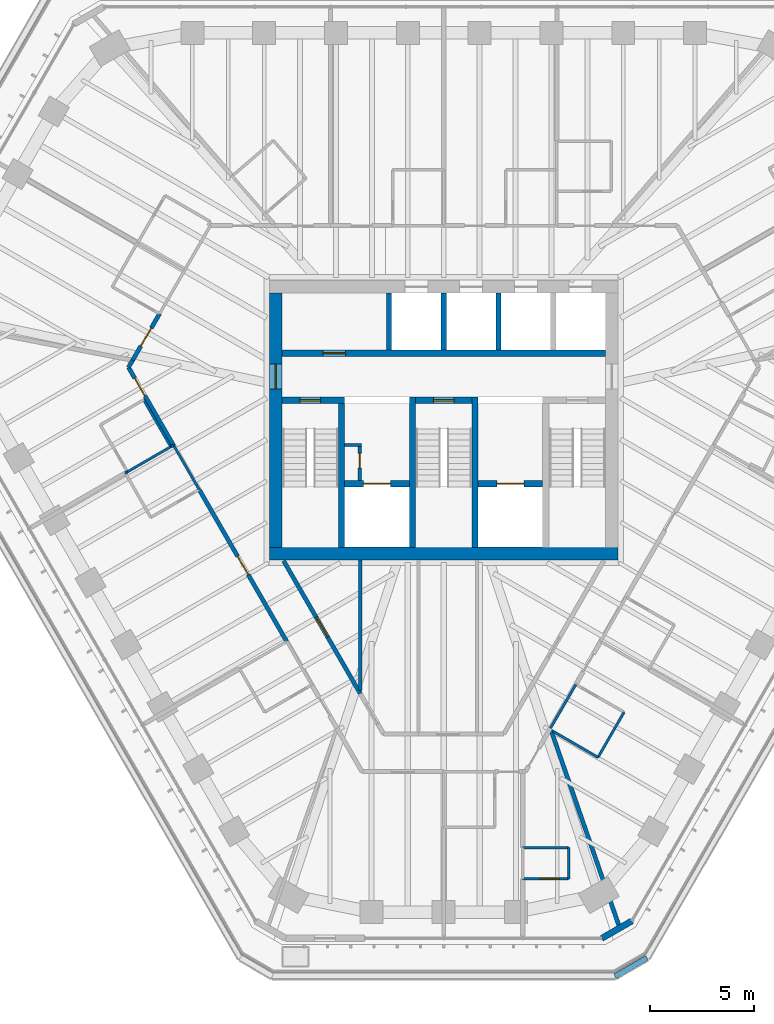
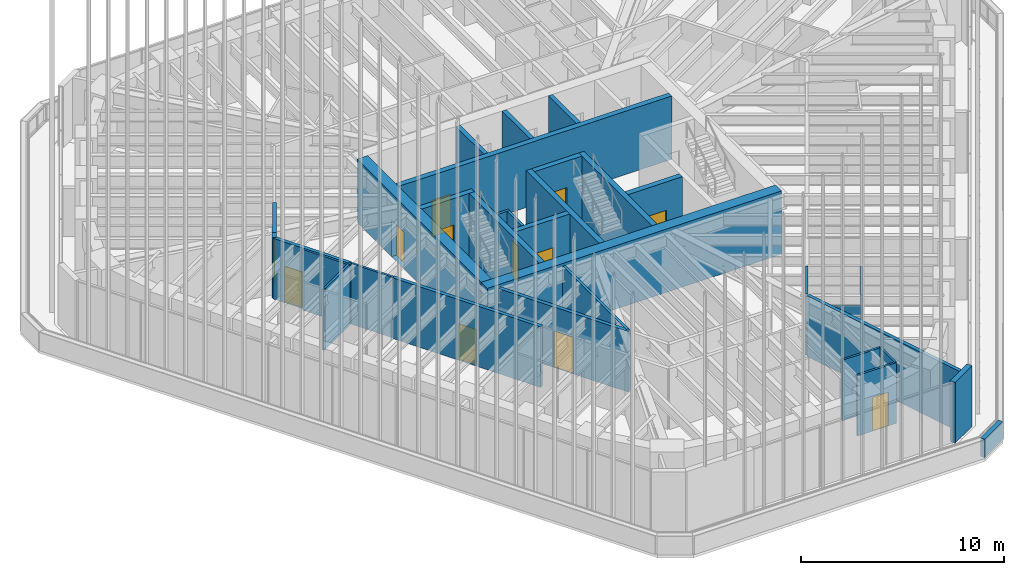
# One storey, part 121 of 127: 35 walls, 12 doors, 12 openings.
"""IFC4 building model written with IfcOpenShell, lengths in metres."""

from ifc_helpers import new_model, si_unit, direction, frame, frame_2d, origin, place, context, subcontext, project, spatial, rectangle, extrude, material, layer, layer_set, type_object, element, fill, save


model = new_model("IFC4")

# Units and contexts
model_context = context("Model", 3, precision=1e-05, world=origin(), true_north=direction((0.0, 1.0)))
body_context = subcontext(model_context, "Body", "Model", "MODEL_VIEW")
ifc_project = project(units=[si_unit("LENGTHUNIT", "METRE"), si_unit("AREAUNIT", "SQUARE_METRE"), si_unit("VOLUMEUNIT", "CUBIC_METRE"), si_unit("PLANEANGLEUNIT", "RADIAN"), si_unit("MASSUNIT", "GRAM", prefix="KILO")], contexts=[model_context])

# Site, building, storey
site_placement = place(None, origin())
site = spatial("IfcSite", under=ifc_project, at=site_placement, CompositionType="ELEMENT")
building_placement = place(site_placement, origin())
building = spatial("IfcBuilding", under=site, at=building_placement, Name="Sandreach Pilgrim Tower", CompositionType="ELEMENT")
storey_placement = place(building_placement, frame((0.0, 0.0, 257.0)))
storey = spatial("IfcBuildingStorey", under=building, at=storey_placement, Name="L64", CompositionType="ELEMENT", Elevation=257.0)

# Walls
ifc_material_1 = material(Name="Gypsum board on steel studs", Category="steel")
ifc_layer_1 = layer(ifc_material_1, 0.14990234375)
ifc_layer_set_1 = layer_set([ifc_layer_1], Name="Back of house wall 150")
wall_type_1 = type_object("IfcWallType", Name="Back of house wall 150", PredefinedType="PARTITIONING", material=ifc_layer_set_1)
wall_1_placement = place(storey_placement, frame((-4.0, -6.699951171875, 0.0), z_axis=(0.0, 0.0, 1.0), x_axis=(0.0, -1.0, 0.0)))
element("IfcWall", 1, at=wall_1_placement, inside=storey, type_object=wall_type_1, Name="Back of house wall L64-044", PredefinedType="PARTITIONING", context=body_context, shape_type="SweptSolid", body=[
    extrude(rectangle(XDim=6.26513671875, YDim=0.14990234375, at=frame_2d((3.132568359375, 0.0))), origin(), (0.0, 0.0, 1.0), 3.639892578125),
])
ifc_material_2 = material(Name="Moisture-resistant gypsum board on steel studs", Category="steel")
ifc_layer_2 = layer(ifc_material_2, 0.1201171875)
ifc_layer_set_2 = layer_set([ifc_layer_2], Name="Bathroom partition 120")
wall_type_2 = type_object("IfcWallType", Name="Bathroom partition 120", PredefinedType="PARTITIONING", material=ifc_layer_set_2)
wall_2_placement = place(storey_placement, frame((-15.27001953125, -2.5400390625, 0.0), z_axis=(0.0, 0.0, 1.0), x_axis=(0.864612942288, 0.502438513678, 0.0)))
element("IfcWall", 2, at=wall_2_placement, inside=storey, type_object=wall_type_2, Name="Bathroom partition L64-007", PredefinedType="PARTITIONING", context=body_context, shape_type="SweptSolid", body=[
    extrude(rectangle(XDim=0.11669921875, YDim=0.1201171875, at=frame_2d((0.058349609375, 0.0))), origin(), (0.0, 0.0, 1.0), 3.639892578125),
])
wall_3_placement = place(storey_placement, frame((-15.1689453125, -2.48193359375, 0.0), z_axis=(0.0, 0.0, 1.0), x_axis=(0.865723129019, 0.500523190154, 0.0)))
element("IfcWall", 3, at=wall_3_placement, inside=storey, type_object=wall_type_2, Name="Bathroom partition L64-009", PredefinedType="PARTITIONING", context=body_context, shape_type="SweptSolid", body=[
    extrude(rectangle(XDim=2.4013671875, YDim=0.1201171875, at=frame_2d((1.20068359375, 0.0))), origin(), (0.0, 0.0, 1.0), 3.639892578125),
])
wall_4_placement = place(storey_placement, frame((-13.090087890625, -1.280029296875, 0.0), z_axis=(0.0, 0.0, 1.0), x_axis=(-0.500291685314, 0.865856933682, 0.0)))
element("IfcWall", 4, at=wall_4_placement, inside=storey, type_object=wall_type_2, Name="Bathroom partition L64-020", PredefinedType="PARTITIONING", context=body_context, shape_type="SweptSolid", body=[
    extrude(rectangle(XDim=2.5986328125, YDim=0.1201171875, at=frame_2d((1.29931640625, 0.0))), origin(), (0.0, 0.0, 1.0), 3.639892578125),
])
wall_5_placement = place(storey_placement, frame((-13.087890625, -1.283447265625, 0.0), z_axis=(0.0, 0.0, 1.0), x_axis=(0.867120749652, 0.498097987873, 0.0)))
element("IfcWall", 5, at=wall_5_placement, inside=storey, type_object=wall_type_2, Name="Bathroom partition L64-021", PredefinedType="PARTITIONING", context=body_context, shape_type="SweptSolid", body=[
    extrude(rectangle(XDim=0.1474609375, YDim=0.1201171875, at=frame_2d((0.07373046875, 0.0))), origin(), (0.0, 0.0, 1.0), 3.639892578125),
])
wall_6_placement = place(storey_placement, frame((-12.955322265625, -1.207275390625, 0.0), z_axis=(0.0, 0.0, 1.0), x_axis=(0.499920767294, -0.866071143976, 0.0)))
element("IfcWall", 6, at=wall_6_placement, inside=storey, type_object=wall_type_2, Name="Bathroom partition L64-022", PredefinedType="PARTITIONING", context=body_context, shape_type="SweptSolid", body=[
    extrude(rectangle(XDim=2.451171875, YDim=0.1201171875, at=frame_2d((1.2255859375, 0.0))), origin(), (0.0, 0.0, 1.0), 3.639892578125),
])

# Wall, opening, door
wall_7_placement = place(storey_placement, frame((3.7900390625, -22.010009765625, 0.0), z_axis=(0.0, 0.0, 1.0), x_axis=(1.0, 0.0, 0.0)))
wall_7 = element("IfcWall", 7, at=wall_7_placement, inside=storey, type_object=wall_type_2, Name="Bathroom partition L64-067", PredefinedType="PARTITIONING", context=body_context, shape_type="SweptSolid", body=[
    extrude(rectangle(XDim=2.199951171875, YDim=0.1201171875, at=frame_2d((1.10009765625, 0.0))), origin(), (0.0, 0.0, 1.0), 3.639892578125),
])
opening_1_placement = place(wall_7_placement, frame((0.85009765625, 0.0, 0.0)))
opening_1 = element("IfcOpeningElement", 8, at=opening_1_placement, cuts=wall_7, Name="Opening D09-10B", PredefinedType="OPENING", context=body_context, shape_type="SweptSolid", body=[
    extrude(rectangle(XDim=0.89990234375, YDim=2.030029296875, at=frame_2d((0.449951171875, 1.01513671875))), frame((0.0, 0.06005859375, 0.0), z_axis=(0.0, -1.0, 0.0), x_axis=(1.0, 0.0, 0.0)), (0.0, 0.0, 1.0), 0.1201171875),
])
ifc_material_3 = material(Name="Timber door, steel frame", Category="steel")
door_type_1 = type_object("IfcDoorType", Name="Bathroom door", OperationType="SINGLE_SWING_LEFT", PredefinedType="DOOR", material=ifc_material_3)
door_1_placement = place(opening_1_placement, origin())
door_1 = element("IfcDoor", 9, at=door_1_placement, inside=storey, type_object=door_type_1, Name="Door 6410B", OperationType="SINGLE_SWING_RIGHT", OverallHeight=2.030029296875, OverallWidth=0.89990234375, PredefinedType="DOOR", context=body_context, shape_type="SweptSolid", body=[
    extrude(rectangle(XDim=0.89990234375, YDim=2.030029296875, at=frame_2d((0.449951171875, 1.01513671875))), frame((0.0, 0.02490234375, 0.0), z_axis=(0.0, -1.0, 0.0), x_axis=(1.0, 0.0, 0.0)), (0.0, 0.0, 1.0), 0.050048828125),
])
fill(opening_1, door_1)

# Walls
wall_8_placement = place(storey_placement, frame((5.1201171875, -14.780029296875, 0.0), z_axis=(0.0, 0.0, 1.0), x_axis=(0.502307685327, 0.86468895521, 0.0)))
element("IfcWall", 10, at=wall_8_placement, inside=storey, type_object=wall_type_2, Name="Bathroom partition L64-071", PredefinedType="PARTITIONING", context=body_context, shape_type="SweptSolid", body=[
    extrude(rectangle(XDim=2.4287109375, YDim=0.1201171875, at=frame_2d((1.21435546875, 0.0))), origin(), (0.0, 0.0, 1.0), 3.639892578125),
])
wall_9_placement = place(storey_placement, frame((5.2333984375, -14.922607421875, 0.0), z_axis=(0.0, 0.0, 1.0), x_axis=(0.864900876675, -0.501942699445, 0.0)))
element("IfcWall", 11, at=wall_9_placement, inside=storey, type_object=wall_type_2, Name="Bathroom partition L64-072", PredefinedType="PARTITIONING", context=body_context, shape_type="SweptSolid", body=[
    extrude(rectangle(XDim=2.5048828125, YDim=0.1201171875, at=frame_2d((1.25244140625, 0.0))), origin(), (0.0, 0.0, 1.0), 3.0380859375),
])
wall_10_placement = place(storey_placement, frame((5.989990234375, -22.010009765625, 0.0), z_axis=(0.0, 0.0, 1.0), x_axis=(0.0, 1.0, 0.0)))
element("IfcWall", 12, at=wall_10_placement, inside=storey, type_object=wall_type_2, Name="Bathroom partition L64-080", PredefinedType="PARTITIONING", context=body_context, shape_type="SweptSolid", body=[
    extrude(rectangle(XDim=1.5, YDim=0.1201171875, at=frame_2d((0.75, 0.0))), origin(), (0.0, 0.0, 1.0), 3.639892578125),
])
wall_11_placement = place(storey_placement, frame((5.989990234375, -20.510009765625, 0.0), z_axis=(0.0, 0.0, 1.0), x_axis=(-1.0, 0.0, 0.0)))
element("IfcWall", 13, at=wall_11_placement, inside=storey, type_object=wall_type_2, Name="Bathroom partition L64-081", PredefinedType="PARTITIONING", context=body_context, shape_type="SweptSolid", body=[
    extrude(rectangle(XDim=2.199951171875, YDim=0.1201171875, at=frame_2d((1.10009765625, 0.0))), origin(), (0.0, 0.0, 1.0), 3.639892578125),
])
wall_12_placement = place(storey_placement, frame((7.39990234375, -16.179931640625, 0.0), z_axis=(0.0, 0.0, 1.0), x_axis=(0.499159685399, 0.866510016372, 0.0)))
element("IfcWall", 14, at=wall_12_placement, inside=storey, type_object=wall_type_2, Name="Bathroom partition L64-083", PredefinedType="PARTITIONING", context=body_context, shape_type="SweptSolid", body=[
    extrude(rectangle(XDim=2.504150390625, YDim=0.1201171875, at=frame_2d((1.251953125, 0.0))), origin(), (0.0, 0.0, 1.0), 3.639892578125),
])
ifc_material_4 = material(Name="Concrete 10000 psi", Category="concrete")
ifc_layer_3 = layer(ifc_material_4, 0.300048828125)
ifc_layer_set_3 = layer_set([ifc_layer_3], Name="Core inner wall 300")
wall_type_3 = type_object("IfcWallType", Name="Core inner wall 300", PredefinedType="SHEAR", material=ifc_layer_set_3)
for number, where, z_axis, x_axis, name in (
    (15, (-4.89990234375, -6.10009765625, 0.0), (0.0, 0.0, 1.0), (0.0, 1.0, 0.0), "Core wall I0 L64"),
    (16, (-1.5, -6.10009765625, 0.0), (0.0, 0.0, 1.0), (0.0, 1.0, 0.0), "Core wall I1 L64"),
    (17, (1.5, -6.10009765625, 0.0), (0.0, 0.0, 1.0), (0.0, 1.0, 0.0), "Core wall I2 L64"),
):
    element("IfcWall", number, at=place(storey_placement, frame(where, z_axis=z_axis, x_axis=x_axis)), inside=storey, type_object=wall_type_3, Name=name, PredefinedType="SHEAR", context=body_context, shape_type="SweptSolid", body=[
        extrude(rectangle(XDim=7.2001953125, YDim=0.300048828125, at=frame_2d((3.60009765625, 0.0))), origin(), (0.0, 0.0, 1.0), 3.800048828125),
    ])

# Wall, opening, door
wall_13_placement = place(storey_placement, frame((-7.75, 0.949951171875, 0.0), z_axis=(0.0, 0.0, 1.0), x_axis=(1.0, 0.0, 0.0)))
wall_13 = element("IfcWall", 18, at=wall_13_placement, inside=storey, type_object=wall_type_3, Name="Core wall SN1 L64", PredefinedType="SHEAR", context=body_context, shape_type="SweptSolid", body=[
    extrude(rectangle(XDim=3.0, YDim=0.300048828125, at=frame_2d((1.5, 0.0))), origin(), (0.0, 0.0, 1.0), 3.800048828125),
])
opening_2_placement = place(wall_13_placement, frame((0.85009765625, 0.0, 0.0)))
opening_2 = element("IfcOpeningElement", 19, at=opening_2_placement, cuts=wall_13, Name="Opening D10S-ST1", PredefinedType="OPENING", context=body_context, shape_type="SweptSolid", body=[
    extrude(rectangle(XDim=1.0, YDim=2.199951171875, at=frame_2d((0.5, 1.10009765625))), frame((0.0, 0.14990234375, 0.0), z_axis=(0.0, -1.0, 0.0), x_axis=(1.0, 0.0, 0.0)), (0.0, 0.0, 1.0), 0.300048828125),
])
ifc_material_5 = material(Name="Steel door and frame", Category="steel")
door_type_2 = type_object("IfcDoorType", Name="Stair door", OperationType="SINGLE_SWING_LEFT", PredefinedType="DOOR", material=ifc_material_5)
door_2_placement = place(opening_2_placement, origin())
door_2 = element("IfcDoor", 20, at=door_2_placement, inside=storey, type_object=door_type_2, Name="Stair door ST1 L64", OperationType="SINGLE_SWING_LEFT", OverallHeight=2.199951171875, OverallWidth=1.0, PredefinedType="DOOR", context=body_context, shape_type="SweptSolid", body=[
    extrude(rectangle(XDim=1.0, YDim=2.199951171875, at=frame_2d((0.5, 1.10009765625))), frame((0.0, 0.02490234375, 0.0), z_axis=(0.0, -1.0, 0.0), x_axis=(1.0, 0.0, 0.0)), (0.0, 0.0, 1.0), 0.050048828125),
])
fill(opening_2, door_2)

wall_14_placement = place(storey_placement, frame((-1.35009765625, 0.949951171875, 0.0), z_axis=(0.0, 0.0, 1.0), x_axis=(1.0, 0.0, 0.0)))
wall_14 = element("IfcWall", 21, at=wall_14_placement, inside=storey, type_object=wall_type_3, Name="Core wall SN3 L64", PredefinedType="SHEAR", context=body_context, shape_type="SweptSolid", body=[
    extrude(rectangle(XDim=2.7001953125, YDim=0.300048828125, at=frame_2d((1.35009765625, 0.0))), origin(), (0.0, 0.0, 1.0), 3.800048828125),
])
opening_3_placement = place(wall_14_placement, frame((0.85009765625, 0.0, 0.0)))
opening_3 = element("IfcOpeningElement", 22, at=opening_3_placement, cuts=wall_14, Name="Opening D10S-ST3", PredefinedType="OPENING", context=body_context, shape_type="SweptSolid", body=[
    extrude(rectangle(XDim=1.0, YDim=2.199951171875, at=frame_2d((0.5, 1.10009765625))), frame((0.0, 0.14990234375, 0.0), z_axis=(0.0, -1.0, 0.0), x_axis=(1.0, 0.0, 0.0)), (0.0, 0.0, 1.0), 0.300048828125),
])
door_3_placement = place(opening_3_placement, origin())
door_3 = element("IfcDoor", 23, at=door_3_placement, inside=storey, type_object=door_type_2, Name="Stair door ST3 L64", OperationType="SINGLE_SWING_LEFT", OverallHeight=2.199951171875, OverallWidth=1.0, PredefinedType="DOOR", context=body_context, shape_type="SweptSolid", body=[
    extrude(rectangle(XDim=1.0, YDim=2.199951171875, at=frame_2d((0.5, 1.10009765625))), frame((0.0, 0.02490234375, 0.0), z_axis=(0.0, -1.0, 0.0), x_axis=(1.0, 0.0, 0.0)), (0.0, 0.0, 1.0), 0.050048828125),
])
fill(opening_3, door_3)

wall_15_placement = place(storey_placement, frame((-4.75, -3.050048828125, 0.0), z_axis=(0.0, 0.0, 1.0), x_axis=(1.0, 0.0, 0.0)))
wall_15 = element("IfcWall", 24, at=wall_15_placement, inside=storey, type_object=wall_type_3, Name="Core wall FL1 L64", PredefinedType="SHEAR", context=body_context, shape_type="SweptSolid", body=[
    extrude(rectangle(XDim=3.10009765625, YDim=0.300048828125, at=frame_2d((1.550048828125, 0.0))), origin(), (0.0, 0.0, 1.0), 3.800048828125),
])
opening_4_placement = place(wall_15_placement, frame((0.89990234375, 0.0, 0.0)))
opening_4 = element("IfcOpeningElement", 25, at=opening_4_placement, cuts=wall_15, Name="Opening LD13", PredefinedType="OPENING", context=body_context, shape_type="SweptSolid", body=[
    extrude(rectangle(XDim=1.300048828125, YDim=2.10009765625, at=frame_2d((0.64990234375, 1.050048828125))), frame((0.0, 0.14990234375, 0.0), z_axis=(0.0, -1.0, 0.0), x_axis=(1.0, 0.0, 0.0)), (0.0, 0.0, 1.0), 0.300048828125),
])
ifc_material_6 = material(Name="Steel door and frame", Category="steel")
door_type_3 = type_object("IfcDoorType", Name="Fire service lift landing door", OperationType="DOUBLE_DOOR_SLIDING", PredefinedType="DOOR", material=ifc_material_6)
door_4_placement = place(opening_4_placement, origin())
door_4 = element("IfcDoor", 26, at=door_4_placement, inside=storey, type_object=door_type_3, Name="Lift landing door FS1 L64", OperationType="DOUBLE_DOOR_SLIDING", OverallHeight=2.10009765625, OverallWidth=1.300048828125, PredefinedType="DOOR", context=body_context, shape_type="SweptSolid", body=[
    extrude(rectangle(XDim=1.300048828125, YDim=2.10009765625, at=frame_2d((0.64990234375, 1.050048828125))), frame((0.0, 0.02490234375, 0.0), z_axis=(0.0, -1.0, 0.0), x_axis=(1.0, 0.0, 0.0)), (0.0, 0.0, 1.0), 0.050048828125),
])
fill(opening_4, door_4)

wall_16_placement = place(storey_placement, frame((1.64990234375, -3.050048828125, 0.0), z_axis=(0.0, 0.0, 1.0), x_axis=(1.0, 0.0, 0.0)))
wall_16 = element("IfcWall", 27, at=wall_16_placement, inside=storey, type_object=wall_type_3, Name="Core wall FL2 L64", PredefinedType="SHEAR", context=body_context, shape_type="SweptSolid", body=[
    extrude(rectangle(XDim=3.10009765625, YDim=0.300048828125, at=frame_2d((1.550048828125, 0.0))), origin(), (0.0, 0.0, 1.0), 3.800048828125),
])
opening_5_placement = place(wall_16_placement, frame((0.89990234375, 0.0, 0.0)))
opening_5 = element("IfcOpeningElement", 28, at=opening_5_placement, cuts=wall_16, Name="Opening LD13", PredefinedType="OPENING", context=body_context, shape_type="SweptSolid", body=[
    extrude(rectangle(XDim=1.300048828125, YDim=2.10009765625, at=frame_2d((0.64990234375, 1.050048828125))), frame((0.0, 0.14990234375, 0.0), z_axis=(0.0, -1.0, 0.0), x_axis=(1.0, 0.0, 0.0)), (0.0, 0.0, 1.0), 0.300048828125),
])
door_5_placement = place(opening_5_placement, origin())
door_5 = element("IfcDoor", 29, at=door_5_placement, inside=storey, type_object=door_type_3, Name="Lift landing door FS2 L64", OperationType="DOUBLE_DOOR_SLIDING", OverallHeight=2.10009765625, OverallWidth=1.300048828125, PredefinedType="DOOR", context=body_context, shape_type="SweptSolid", body=[
    extrude(rectangle(XDim=1.300048828125, YDim=2.10009765625, at=frame_2d((0.64990234375, 1.050048828125))), frame((0.0, 0.02490234375, 0.0), z_axis=(0.0, -1.0, 0.0), x_axis=(1.0, 0.0, 0.0)), (0.0, 0.0, 1.0), 0.050048828125),
])
fill(opening_5, door_5)

wall_17_placement = place(storey_placement, frame((-7.75, 3.199951171875, 0.0), z_axis=(0.0, 0.0, 1.0), x_axis=(1.0, 0.0, 0.0)))
wall_17 = element("IfcWall", 30, at=wall_17_placement, inside=storey, type_object=wall_type_3, Name="Core wall PN L64", PredefinedType="SHEAR", context=body_context, shape_type="SweptSolid", body=[
    extrude(rectangle(XDim=15.5, YDim=0.300048828125, at=frame_2d((7.75, 0.0))), origin(), (0.0, 0.0, 1.0), 3.800048828125),
])
opening_6_placement = place(wall_17_placement, frame((1.949951171875, 0.0, 0.0)))
opening_6 = element("IfcOpeningElement", 31, at=opening_6_placement, cuts=wall_17, Name="Opening D11L", PredefinedType="OPENING", context=body_context, shape_type="SweptSolid", body=[
    extrude(rectangle(XDim=1.10009765625, YDim=2.199951171875, at=frame_2d((0.550048828125, 1.10009765625))), frame((0.0, 0.14990234375, 0.0), z_axis=(0.0, -1.0, 0.0), x_axis=(1.0, 0.0, 0.0)), (0.0, 0.0, 1.0), 0.300048828125),
])
ifc_material_7 = material(Name="Steel door and frame, smoke seals", Category="steel")
door_type_4 = type_object("IfcDoorType", Name="Core room door", OperationType="SINGLE_SWING_LEFT", PredefinedType="DOOR", material=ifc_material_7)
door_6_placement = place(opening_6_placement, origin())
door_6 = element("IfcDoor", 32, at=door_6_placement, inside=storey, type_object=door_type_4, Name="Door butler pantry 64K1", OperationType="SINGLE_SWING_LEFT", OverallHeight=2.199951171875, OverallWidth=1.10009765625, PredefinedType="DOOR", context=body_context, shape_type="SweptSolid", body=[
    extrude(rectangle(XDim=1.10009765625, YDim=2.199951171875, at=frame_2d((0.550048828125, 1.10009765625))), frame((0.0, 0.02490234375, 0.0), z_axis=(0.0, -1.0, 0.0), x_axis=(1.0, 0.0, 0.0)), (0.0, 0.0, 1.0), 0.050048828125),
])
fill(opening_6, door_6)

# Wall
ifc_material_8 = material(Name="Concrete 10000 psi", Category="concrete")
ifc_layer_4 = layer(ifc_material_8, 0.60009765625)
ifc_layer_set_4 = layer_set([ifc_layer_4], Name="Core wall 600")
wall_type_4 = type_object("IfcWallType", Name="Core wall 600", PredefinedType="SHEAR", material=ifc_layer_set_4)
wall_18_placement = place(storey_placement, frame((-8.35009765625, -6.39990234375, 0.0), z_axis=(0.0, 0.0, 1.0), x_axis=(1.0, 0.0, 0.0)))
element("IfcWall", 33, at=wall_18_placement, inside=storey, type_object=wall_type_4, Name="Core wall S L64", PredefinedType="SHEAR", context=body_context, shape_type="SweptSolid", body=[
    extrude(rectangle(XDim=16.7001953125, YDim=0.60009765625, at=frame_2d((8.35009765625, 0.0))), origin(), (0.0, 0.0, 1.0), 3.800048828125),
])

# Wall, opening, door
wall_19_placement = place(storey_placement, frame((-8.050048828125, -6.10009765625, 0.0), z_axis=(0.0, 0.0, 1.0), x_axis=(0.0, 1.0, 0.0)))
wall_19 = element("IfcWall", 34, at=wall_19_placement, inside=storey, type_object=wall_type_4, Name="Core wall W L64", PredefinedType="SHEAR", context=body_context, shape_type="SweptSolid", body=[
    extrude(rectangle(XDim=12.2001953125, YDim=0.60009765625, at=frame_2d((6.10009765625, 0.0))), origin(), (0.0, 0.0, 1.0), 3.800048828125),
])
opening_7_placement = place(wall_19_placement, frame((7.60009765625, 0.0, 0.0)))
opening_7 = element("IfcOpeningElement", 35, at=opening_7_placement, cuts=wall_19, Name="Opening D12F-W", PredefinedType="OPENING", context=body_context, shape_type="SweptSolid", body=[
    extrude(rectangle(XDim=1.199951171875, YDim=2.199951171875, at=frame_2d((0.60009765625, 1.10009765625))), frame((0.0, 0.300048828125, 0.0), z_axis=(0.0, -1.0, 0.0), x_axis=(1.0, 0.0, 0.0)), (0.0, 0.0, 1.0), 0.60009765625),
])
ifc_material_9 = material(Name="Steel door and frame", Category="steel")
door_type_5 = type_object("IfcDoorType", Name="Fire lobby door", OperationType="SINGLE_SWING_LEFT", PredefinedType="DOOR", material=ifc_material_9)
door_7_placement = place(opening_7_placement, origin())
door_7 = element("IfcDoor", 36, at=door_7_placement, inside=storey, type_object=door_type_5, Name="Fire service lobby door W L64", OperationType="SINGLE_SWING_RIGHT", OverallHeight=2.199951171875, OverallWidth=1.199951171875, PredefinedType="DOOR", context=body_context, shape_type="SweptSolid", body=[
    extrude(rectangle(XDim=1.199951171875, YDim=2.199951171875, at=frame_2d((0.60009765625, 1.10009765625))), frame((0.0, 0.02490234375, 0.0), z_axis=(0.0, -1.0, 0.0), x_axis=(1.0, 0.0, 0.0)), (0.0, 0.0, 1.0), 0.050048828125),
])
fill(opening_7, door_7)

# Wall
ifc_material_10 = material(Name="Gypsum board on steel studs, two layers each side", Category="steel")
ifc_layer_5 = layer(ifc_material_10, 0.199951171875)
ifc_layer_set_5 = layer_set([ifc_layer_5], Name="Corridor wall 200")
wall_type_5 = type_object("IfcWallType", Name="Corridor wall 200", PredefinedType="PARTITIONING", material=ifc_layer_set_5)
wall_20_placement = place(storey_placement, frame((-15.1201171875, 2.530029296875, 0.0), z_axis=(0.0, 0.0, 1.0), x_axis=(0.507290461451, 0.861775137562, 0.0)))
element("IfcWall", 37, at=wall_20_placement, inside=storey, type_object=wall_type_5, Name="Corridor wall L64-010", PredefinedType="PARTITIONING", context=body_context, shape_type="SweptSolid", body=[
    extrude(rectangle(XDim=0.39453125, YDim=0.199951171875, at=frame_2d((0.197265625, 0.0))), origin(), (0.0, 0.0, 1.0), 3.639892578125),
])

# Wall, opening, door
wall_21_placement = place(storey_placement, frame((-15.1201171875, 2.530029296875, 0.0), z_axis=(0.0, 0.0, 1.0), x_axis=(0.500151395541, -0.865937977882, 0.0)))
wall_21 = element("IfcWall", 38, at=wall_21_placement, inside=storey, type_object=wall_type_5, Name="Corridor wall L64-011", PredefinedType="PARTITIONING", context=body_context, shape_type="SweptSolid", body=[
    extrude(rectangle(XDim=4.319091796875, YDim=0.199951171875, at=frame_2d((2.15966796875, 0.0))), origin(), (0.0, 0.0, 1.0), 3.639892578125),
])
opening_8_placement = place(wall_21_placement, frame((0.60009765625, 0.0, 0.0)))
opening_8 = element("IfcOpeningElement", 39, at=opening_8_placement, cuts=wall_21, Name="Opening D10-15", PredefinedType="OPENING", context=body_context, shape_type="SweptSolid", body=[
    extrude(rectangle(XDim=1.0, YDim=2.1298828125, at=frame_2d((0.5, 1.06494140625))), frame((0.0, 0.10009765625, 0.0), z_axis=(0.0, -1.0, 0.0), x_axis=(1.0, 0.0, 0.0)), (0.0, 0.0, 1.0), 0.199951171875),
])
ifc_material_11 = material(Name="Steel door and frame", Category="steel")
door_type_6 = type_object("IfcDoorType", Name="Guest room entry door", OperationType="SINGLE_SWING_LEFT", PredefinedType="DOOR", material=ifc_material_11)
door_8_placement = place(opening_8_placement, origin())
door_8 = element("IfcDoor", 40, at=door_8_placement, inside=storey, type_object=door_type_6, Name="Door 6415", OperationType="SINGLE_SWING_LEFT", OverallHeight=2.1298828125, OverallWidth=1.0, PredefinedType="DOOR", context=body_context, shape_type="SweptSolid", body=[
    extrude(rectangle(XDim=1.0, YDim=2.1298828125, at=frame_2d((0.5, 1.06494140625))), frame((0.0, 0.02490234375, 0.0), z_axis=(0.0, -1.0, 0.0), x_axis=(1.0, 0.0, 0.0)), (0.0, 0.0, 1.0), 0.050048828125),
])
fill(opening_8, door_8)

wall_22_placement = place(storey_placement, frame((-14.919921875, 2.8701171875, 0.0), z_axis=(0.0, 0.0, 1.0), x_axis=(0.500714932888, 0.865612243434, 0.0)))
wall_22 = element("IfcWall", 41, at=wall_22_placement, inside=storey, type_object=wall_type_5, Name="Corridor wall L64-012", PredefinedType="PARTITIONING", context=body_context, shape_type="SweptSolid", body=[
    extrude(rectangle(XDim=2.575927734375, YDim=0.199951171875, at=frame_2d((1.2880859375, 0.0))), origin(), (0.0, 0.0, 1.0), 3.639892578125),
])
opening_9_placement = place(wall_22_placement, frame((0.7880859375, 0.0, 0.0)))
opening_9 = element("IfcOpeningElement", 42, at=opening_9_placement, cuts=wall_22, Name="Opening D10-16", PredefinedType="OPENING", context=body_context, shape_type="SweptSolid", body=[
    extrude(rectangle(XDim=1.0, YDim=2.1298828125, at=frame_2d((0.5, 1.06494140625))), frame((0.0, 0.10009765625, 0.0), z_axis=(0.0, -1.0, 0.0), x_axis=(1.0, 0.0, 0.0)), (0.0, 0.0, 1.0), 0.199951171875),
])
door_9_placement = place(opening_9_placement, origin())
door_9 = element("IfcDoor", 43, at=door_9_placement, inside=storey, type_object=door_type_6, Name="Door 6416", OperationType="SINGLE_SWING_LEFT", OverallHeight=2.1298828125, OverallWidth=1.0, PredefinedType="DOOR", context=body_context, shape_type="SweptSolid", body=[
    extrude(rectangle(XDim=1.0, YDim=2.1298828125, at=frame_2d((0.5, 1.06494140625))), frame((0.0, 0.02490234375, 0.0), z_axis=(0.0, -1.0, 0.0), x_axis=(1.0, 0.0, 0.0)), (0.0, 0.0, 1.0), 0.050048828125),
])
fill(opening_9, door_9)

wall_23_placement = place(storey_placement, frame((-11.72998046875, -3.330078125, 0.0), z_axis=(0.0, 0.0, 1.0), x_axis=(0.499214067722, -0.866478686748, 0.0)))
wall_23 = element("IfcWall", 44, at=wall_23_placement, inside=storey, type_object=wall_type_5, Name="Corridor wall L64-024", PredefinedType="PARTITIONING", context=body_context, shape_type="SweptSolid", body=[
    extrude(rectangle(XDim=8.4130859375, YDim=0.199951171875, at=frame_2d((4.20654296875, 0.0))), origin(), (0.0, 0.0, 1.0), 3.639892578125),
])
opening_10_placement = place(wall_23_placement, frame((3.706787109375, 0.0, 0.0)))
opening_10 = element("IfcOpeningElement", 45, at=opening_10_placement, cuts=wall_23, Name="Opening D10-14", PredefinedType="OPENING", context=body_context, shape_type="SweptSolid", body=[
    extrude(rectangle(XDim=1.0, YDim=2.1298828125, at=frame_2d((0.5, 1.06494140625))), frame((0.0, 0.10009765625, 0.0), z_axis=(0.0, -1.0, 0.0), x_axis=(1.0, 0.0, 0.0)), (0.0, 0.0, 1.0), 0.199951171875),
])
door_10_placement = place(opening_10_placement, origin())
door_10 = element("IfcDoor", 46, at=door_10_placement, inside=storey, type_object=door_type_6, Name="Door 6414", OperationType="SINGLE_SWING_LEFT", OverallHeight=2.1298828125, OverallWidth=1.0, PredefinedType="DOOR", context=body_context, shape_type="SweptSolid", body=[
    extrude(rectangle(XDim=1.0, YDim=2.1298828125, at=frame_2d((0.5, 1.06494140625))), frame((0.0, 0.02490234375, 0.0), z_axis=(0.0, -1.0, 0.0), x_axis=(1.0, 0.0, 0.0)), (0.0, 0.0, 1.0), 0.050048828125),
])
fill(opening_10, door_10)

wall_24_placement = place(storey_placement, frame((-4.0, -13.1201171875, 0.0), z_axis=(0.0, 0.0, 1.0), x_axis=(-0.500218436225, 0.865899252835, 0.0)))
wall_24 = element("IfcWall", 47, at=wall_24_placement, inside=storey, type_object=wall_type_5, Name="Corridor wall L64-043", PredefinedType="PARTITIONING", context=body_context, shape_type="SweptSolid", body=[
    extrude(rectangle(XDim=7.356689453125, YDim=0.199951171875, at=frame_2d((3.67822265625, 0.0))), origin(), (0.0, 0.0, 1.0), 3.639892578125),
])
opening_11_placement = place(wall_24_placement, frame((3.12841796875, 0.0, 0.0)))
opening_11 = element("IfcOpeningElement", 48, at=opening_11_placement, cuts=wall_24, Name="Opening D11H-S1", PredefinedType="OPENING", context=body_context, shape_type="SweptSolid", body=[
    extrude(rectangle(XDim=1.10009765625, YDim=2.199951171875, at=frame_2d((0.550048828125, 1.10009765625))), frame((0.0, 0.10009765625, 0.0), z_axis=(0.0, -1.0, 0.0), x_axis=(1.0, 0.0, 0.0)), (0.0, 0.0, 1.0), 0.199951171875),
])
ifc_material_12 = material(Name="Steel door and frame", Category="steel")
door_type_7 = type_object("IfcDoorType", Name="Back of house door", OperationType="SINGLE_SWING_LEFT", PredefinedType="DOOR", material=ifc_material_12)
door_11_placement = place(opening_11_placement, origin())
door_11 = element("IfcDoor", 49, at=door_11_placement, inside=storey, type_object=door_type_7, Name="Door 64S1", OperationType="SINGLE_SWING_LEFT", OverallHeight=2.199951171875, OverallWidth=1.10009765625, PredefinedType="DOOR", context=body_context, shape_type="SweptSolid", body=[
    extrude(rectangle(XDim=1.10009765625, YDim=2.199951171875, at=frame_2d((0.550048828125, 1.10009765625))), frame((0.0, 0.02490234375, 0.0), z_axis=(0.0, -1.0, 0.0), x_axis=(1.0, 0.0, 0.0)), (0.0, 0.0, 1.0), 0.050048828125),
])
fill(opening_11, door_11)

# Wall
ifc_material_13 = material(Name="Double steel stud acoustic wall, gypsum board", Category="steel")
ifc_layer_6 = layer(ifc_material_13, 0.199951171875)
ifc_layer_set_6 = layer_set([ifc_layer_6], Name="Party wall 200")
wall_type_6 = type_object("IfcWallType", Name="Party wall 200", PredefinedType="PARTITIONING", material=ifc_layer_set_6)
wall_25_placement = place(storey_placement, frame((8.4501953125, -24.381591796875, 0.0), z_axis=(0.0, 0.0, 1.0), x_axis=(-0.328108256954, 0.944640128154, 0.0)))
element("IfcWall", 50, at=wall_25_placement, inside=storey, type_object=wall_type_6, Name="Party wall L64-090", PredefinedType="PARTITIONING", context=body_context, shape_type="SweptSolid", body=[
    extrude(rectangle(XDim=10.05859375, YDim=0.199951171875, at=frame_2d((5.029296875, 0.0))), origin(), (0.0, 0.0, 1.0), 3.639892578125),
])

# Wall, opening, door
ifc_material_14 = material(Name="Gypsum shaft wall on steel studs, shaft liner board", Category="steel")
ifc_layer_7 = layer(ifc_material_14, 0.14990234375)
ifc_layer_set_7 = layer_set([ifc_layer_7], Name="Riser shaft wall 150")
wall_type_7 = type_object("IfcWallType", Name="Riser shaft wall 150", PredefinedType="PARTITIONING", material=ifc_layer_set_7)
wall_26_placement = place(storey_placement, frame((-4.02490234375, -2.89990234375, 0.0), z_axis=(0.0, 0.0, 1.0), x_axis=(0.0, 1.0, 0.0)))
wall_26 = element("IfcWall", 51, at=wall_26_placement, inside=storey, type_object=wall_type_7, Name="Riser partition L64 side", PredefinedType="PARTITIONING", context=body_context, shape_type="SweptSolid", body=[
    extrude(rectangle(XDim=1.77490234375, YDim=0.14990234375, at=frame_2d((0.887451171875, 0.0))), origin(), (0.0, 0.0, 1.0), 3.639892578125),
])
opening_12_placement = place(wall_26_placement, frame((0.60009765625, 0.0, 0.0)))
opening_12 = element("IfcOpeningElement", 52, at=opening_12_placement, cuts=wall_26, Name="Opening D07R", PredefinedType="OPENING", context=body_context, shape_type="SweptSolid", body=[
    extrude(rectangle(XDim=0.699951171875, YDim=2.10009765625, at=frame_2d((0.35009765625, 1.050048828125))), frame((0.0, 0.074951171875, 0.0), z_axis=(0.0, -1.0, 0.0), x_axis=(1.0, 0.0, 0.0)), (0.0, 0.0, 1.0), 0.14990234375),
])
ifc_material_15 = material(Name="Steel door and frame, smoke seals", Category="steel")
door_type_8 = type_object("IfcDoorType", Name="Riser access door", OperationType="SINGLE_SWING_RIGHT", PredefinedType="DOOR", material=ifc_material_15)
door_12_placement = place(opening_12_placement, origin())
door_12 = element("IfcDoor", 53, at=door_12_placement, inside=storey, type_object=door_type_8, Name="Door riser 64ER", OperationType="SINGLE_SWING_RIGHT", OverallHeight=2.10009765625, OverallWidth=0.699951171875, PredefinedType="DOOR", context=body_context, shape_type="SweptSolid", body=[
    extrude(rectangle(XDim=0.699951171875, YDim=2.10009765625, at=frame_2d((0.35009765625, 1.050048828125))), frame((0.0, 0.02490234375, 0.0), z_axis=(0.0, -1.0, 0.0), x_axis=(1.0, 0.0, 0.0)), (0.0, 0.0, 1.0), 0.050048828125),
])
fill(opening_12, door_12)

# Walls
wall_27_placement = place(storey_placement, frame((-4.75, -1.199951171875, 0.0), z_axis=(0.0, 0.0, 1.0), x_axis=(1.0, 0.0, 0.0)))
element("IfcWall", 54, at=wall_27_placement, inside=storey, type_object=wall_type_7, Name="Riser partition L64 front", PredefinedType="PARTITIONING", context=body_context, shape_type="SweptSolid", body=[
    extrude(rectangle(XDim=0.800048828125, YDim=0.14990234375, at=frame_2d((0.39990234375, 0.0))), origin(), (0.0, 0.0, 1.0), 3.639892578125),
])
ifc_material_16 = material(Name="Concrete parapet with terracotta coping", Category="masonry")
ifc_layer_8 = layer(ifc_material_16, 0.25)
ifc_layer_set_8 = layer_set([ifc_layer_8], Name="Setback parapet")
wall_type_8 = type_object("IfcWallType", Name="Setback parapet", PredefinedType="PARAPET", material=ifc_layer_set_8)
wall_28_placement = place(storey_placement, frame((8.226318359375, -26.681884765625, 0.0), z_axis=(0.0, 0.0, 1.0), x_axis=(0.865508535391, 0.500894175615, 0.0)))
element("IfcWall", 55, at=wall_28_placement, inside=storey, type_object=wall_type_8, Name="Setback parapet L64 7", PredefinedType="PARAPET", context=body_context, shape_type="SweptSolid", body=[
    extrude(rectangle(XDim=1.760986328125, YDim=0.25, at=frame_2d((0.88037109375, 0.0))), origin(), (0.0, 0.0, 1.0), 1.10009765625),
])
ifc_material_17 = material(Name="Gypsum shaft wall on steel studs, two layers of shaft liner board", Category="steel")
ifc_layer_9 = layer(ifc_material_17, 0.25)
ifc_layer_set_9 = layer_set([ifc_layer_9], Name="Shaft partition 250")
wall_type_9 = type_object("IfcWallType", Name="Shaft partition 250", PredefinedType="PARTITIONING", material=ifc_layer_set_9)
for number, where, z_axis, x_axis, name in (
    (56, (-2.625, 3.35009765625, 0.0), (0.0, 0.0, 1.0), (0.0, 1.0, 0.0), "Shaft partition NS1 L64"),
    (57, (0.0, 3.35009765625, 0.0), (0.0, 0.0, 1.0), (0.0, 1.0, 0.0), "Shaft partition NS2 L64"),
    (58, (2.625, 3.35009765625, 0.0), (0.0, 0.0, 1.0), (0.0, 1.0, 0.0), "Shaft partition NS3 L64"),
):
    element("IfcWall", number, at=place(storey_placement, frame(where, z_axis=z_axis, x_axis=x_axis)), inside=storey, type_object=wall_type_9, Name=name, PredefinedType="PARTITIONING", context=body_context, shape_type="SweptSolid", body=[
        extrude(rectangle(XDim=2.75, YDim=0.25, at=frame_2d((1.375, 0.0))), origin(), (0.0, 0.0, 1.0), 3.800048828125),
    ])
ifc_material_18 = material(Name="Terracotta rainscreen on concrete", Category="masonry")
ifc_layer_10 = layer(ifc_material_18, 0.300048828125)
ifc_layer_set_10 = layer_set([ifc_layer_10], Name="Terracotta chamfer pier")
wall_type_10 = type_object("IfcWallType", Name="Terracotta chamfer pier", PredefinedType="SOLIDWALL", material=ifc_layer_set_10)
wall_29_placement = place(storey_placement, frame((9.02099609375, -24.028076171875, 0.0), z_axis=(0.0, 0.0, 1.0), x_axis=(-0.865989634427, -0.500061949227, 0.0)))
element("IfcWall", 59, at=wall_29_placement, inside=storey, type_object=wall_type_10, Name="Chamfer pier L64 SE", PredefinedType="SOLIDWALL", context=body_context, shape_type="SweptSolid", body=[
    extrude(rectangle(XDim=1.659912109375, YDim=0.300048828125, at=frame_2d((0.830078125, 0.0))), origin(), (0.0, 0.0, 1.0), 3.639892578125),
])

save(model, "model.ifc")
